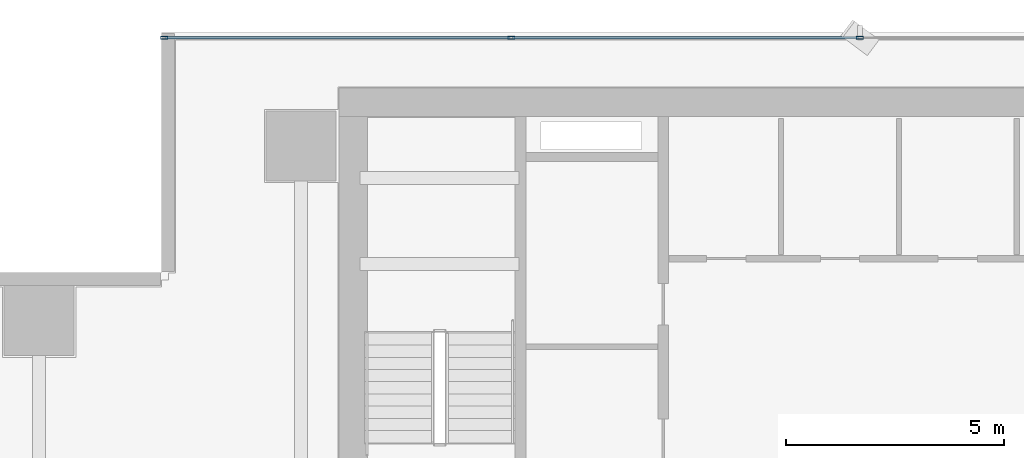
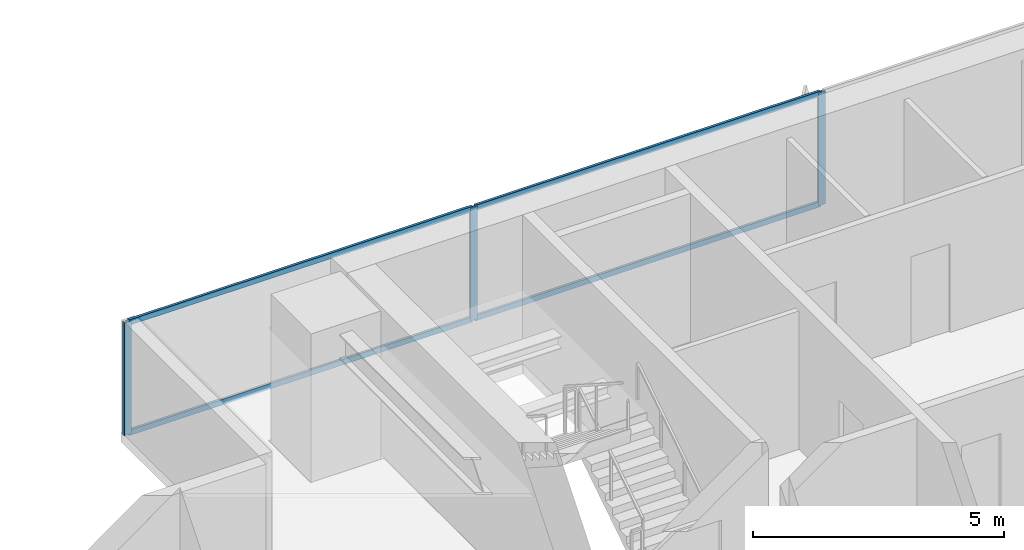
# One storey, part 20 of 34: 7 members, 1 element without a shape of its own.
"""IFC4 building model written with IfcOpenShell, lengths in metres."""

from ifc_helpers import new_model, si_unit, direction, frame, origin, origin_2d, place, context, subcontext, project, spatial, hollow_rectangle, extrude, source, transform, mapped, material, layer, layer_set, material_profile, profile_set, type_object, element, aggregate, save


model = new_model("IFC4")

# Units and contexts
model_context = context("Model", 3, precision=1e-05, world=origin(), true_north=direction((0.0, 1.0)))
body_context = subcontext(model_context, "Body", "Model", "MODEL_VIEW")
ifc_project = project(units=[si_unit("LENGTHUNIT", "METRE"), si_unit("AREAUNIT", "SQUARE_METRE"), si_unit("VOLUMEUNIT", "CUBIC_METRE"), si_unit("PLANEANGLEUNIT", "RADIAN"), si_unit("MASSUNIT", "GRAM", prefix="KILO")], contexts=[model_context])

# Site, building, storey
site_placement = place(None, origin())
site = spatial("IfcSite", under=ifc_project, at=site_placement, CompositionType="ELEMENT")
building_placement = place(site_placement, origin())
building = spatial("IfcBuilding", under=site, at=building_placement, Name="Sumidabori Civic Tower", CompositionType="ELEMENT")
storey_placement = place(building_placement, frame((0.0, 0.0, 99.199951171875)))
storey = spatial("IfcBuildingStorey", under=building, at=storey_placement, Name="L25", CompositionType="ELEMENT", Elevation=99.199951171875)

# Curtain wall, members
ifc_material = material(Name="Anodised Bronze Aluminium AW-6063-T6", Category="aluminium")
ifc_layer = layer(ifc_material, 0.179931640625, Name="Anodised Bronze Aluminium AW-6063-T6")
ifc_layer_set = layer_set([ifc_layer], Name="Anodised Bronze Aluminium AW-6063-T6")
curtain_wall_type = type_object("IfcCurtainWallType", Name="CW-SYS-3", PredefinedType="NOTDEFINED", material=ifc_layer_set)
curtain_wall_placement = place(storey_placement, origin())
curtain_wall = element("IfcCurtainWall", 1, at=curtain_wall_placement, inside=storey, type_object=curtain_wall_type, Name="Curtain Wall CW:L25:R07", PredefinedType="NOTDEFINED")
ifc_material_profile_1 = material_profile(ifc_material, hollow_rectangle(XDim=0.06494140625, YDim=0.159912109375, WallThickness=0.0048828125, at=origin_2d()), Name="ALU MULLION 160x65")
ifc_profile_set_1 = profile_set([ifc_material_profile_1], Name="Anodised Bronze Aluminium AW-6063-T6")
member_type_1 = type_object("IfcMemberType", Name="CW-MUL-160", PredefinedType="MULLION", material=ifc_profile_set_1)
shared_shape_1 = source(origin(), body_context, "Body", "SweptSolid", [
    extrude(hollow_rectangle(XDim=0.06494140625, YDim=0.159912109375, WallThickness=0.0048828125, at=origin_2d()), origin(), (0.0, 0.0, 1.0), 2.739990234375),
])
member_1_placement = place(storey_placement, frame((-3.993896484375, 25.280029296875, 0.0), z_axis=(0.0, 0.0, 1.0), x_axis=(0.0, -1.0, 0.0)))
member_1 = element("IfcMember", 2, at=member_1_placement, type_object=member_type_1, Name="CW-3 mullion 4", PredefinedType="MULLION", context=body_context, shape_type="MappedRepresentation", body=[
    mapped(shared_shape_1, transform((0.0, 0.0, 0.0), x_axis=(1.0, 0.0, 0.0), y_axis=(0.0, 1.0, 0.0), z_axis=(0.0, 0.0, 1.0), scale=1.0)),
])
member_2_placement = place(storey_placement, frame((-11.98193359375, 25.280029296875, 0.0), z_axis=(0.0, 0.0, 1.0), x_axis=(0.0, -1.0, 0.0)))
member_2 = element("IfcMember", 3, at=member_2_placement, type_object=member_type_1, Name="CW-3 mullion 5", PredefinedType="MULLION", context=body_context, shape_type="MappedRepresentation", body=[
    mapped(shared_shape_1, transform((0.0, 0.0, 0.0), x_axis=(1.0, 0.0, 0.0), y_axis=(0.0, 1.0, 0.0), z_axis=(0.0, 0.0, 1.0), scale=1.0)),
])
member_3_placement = place(storey_placement, frame((-19.9375, 25.280029296875, 0.0), z_axis=(0.0, 0.0, 1.0), x_axis=(0.0, -1.0, 0.0)))
member_3 = element("IfcMember", 4, at=member_3_placement, type_object=member_type_1, Name="CW-3 mullion 6", PredefinedType="MULLION", context=body_context, shape_type="MappedRepresentation", body=[
    mapped(shared_shape_1, transform((0.0, 0.0, 0.0), x_axis=(1.0, 0.0, 0.0), y_axis=(0.0, 1.0, 0.0), z_axis=(0.0, 0.0, 1.0), scale=1.0)),
])
ifc_material_profile_2 = material_profile(ifc_material, hollow_rectangle(XDim=0.06005859375, YDim=0.1298828125, WallThickness=0.0048828125, at=origin_2d()), Name="ALU TRANSOM 130x60")
ifc_profile_set_2 = profile_set([ifc_material_profile_2], Name="Anodised Bronze Aluminium AW-6063-T6")
member_type_2 = type_object("IfcMemberType", Name="CW-TRN-130", PredefinedType="USERDEFINED", material=ifc_profile_set_2)
shared_shape_2 = source(origin(), body_context, "Body", "SweptSolid", [
    extrude(hollow_rectangle(XDim=0.06005859375, YDim=0.1298828125, WallThickness=0.0048828125, at=origin_2d()), origin(), (0.0, 0.0, 1.0), 7.890625),
])
member_4_placement = place(storey_placement, frame((-12.014404296875, 25.280029296875, 0.030029296875), z_axis=(-1.0, 0.0, 0.0), x_axis=(0.0, -1.0, 0.0)))
member_4 = element("IfcMember", 5, at=member_4_placement, type_object=member_type_2, Name="CW-3 transom 5.1", ObjectType="TRANSOM", PredefinedType="USERDEFINED", context=body_context, shape_type="MappedRepresentation", body=[
    mapped(shared_shape_2, transform((0.0, 0.0, 0.0), x_axis=(1.0, 0.0, 0.0), y_axis=(0.0, 1.0, 0.0), z_axis=(0.0, 0.0, 1.0), scale=1.0)),
])
member_5_placement = place(storey_placement, frame((-12.014404296875, 25.280029296875, 2.7099609375), z_axis=(-1.0, 0.0, 0.0), x_axis=(0.0, -1.0, 0.0)))
member_5 = element("IfcMember", 6, at=member_5_placement, type_object=member_type_2, Name="CW-3 transom 5.2", ObjectType="TRANSOM", PredefinedType="USERDEFINED", context=body_context, shape_type="MappedRepresentation", body=[
    mapped(shared_shape_2, transform((0.0, 0.0, 0.0), x_axis=(1.0, 0.0, 0.0), y_axis=(0.0, 1.0, 0.0), z_axis=(0.0, 0.0, 1.0), scale=1.0)),
])
shared_shape_3 = source(origin(), body_context, "Body", "SweptSolid", [
    extrude(hollow_rectangle(XDim=0.06005859375, YDim=0.1298828125, WallThickness=0.0048828125, at=origin_2d()), origin(), (0.0, 0.0, 1.0), 7.9228515625),
])
member_6_placement = place(storey_placement, frame((-4.026611328125, 25.280029296875, 0.030029296875), z_axis=(-1.0, 0.0, 0.0), x_axis=(0.0, -1.0, 0.0)))
member_6 = element("IfcMember", 7, at=member_6_placement, type_object=member_type_2, Name="CW-3 transom 4.1", ObjectType="TRANSOM", PredefinedType="USERDEFINED", context=body_context, shape_type="MappedRepresentation", body=[
    mapped(shared_shape_3, transform((0.0, 0.0, 0.0), x_axis=(1.0, 0.0, 0.0), y_axis=(0.0, 1.0, 0.0), z_axis=(0.0, 0.0, 1.0), scale=1.0)),
])
member_7_placement = place(storey_placement, frame((-4.026611328125, 25.280029296875, 2.7099609375), z_axis=(-1.0, 0.0, 0.0), x_axis=(0.0, -1.0, 0.0)))
member_7 = element("IfcMember", 8, at=member_7_placement, type_object=member_type_2, Name="CW-3 transom 4.2", ObjectType="TRANSOM", PredefinedType="USERDEFINED", context=body_context, shape_type="MappedRepresentation", body=[
    mapped(shared_shape_3, transform((0.0, 0.0, 0.0), x_axis=(1.0, 0.0, 0.0), y_axis=(0.0, 1.0, 0.0), z_axis=(0.0, 0.0, 1.0), scale=1.0)),
])
aggregate(curtain_wall, [member_1, member_2, member_3, member_6, member_7, member_4, member_5])

save(model, "model.ifc")
